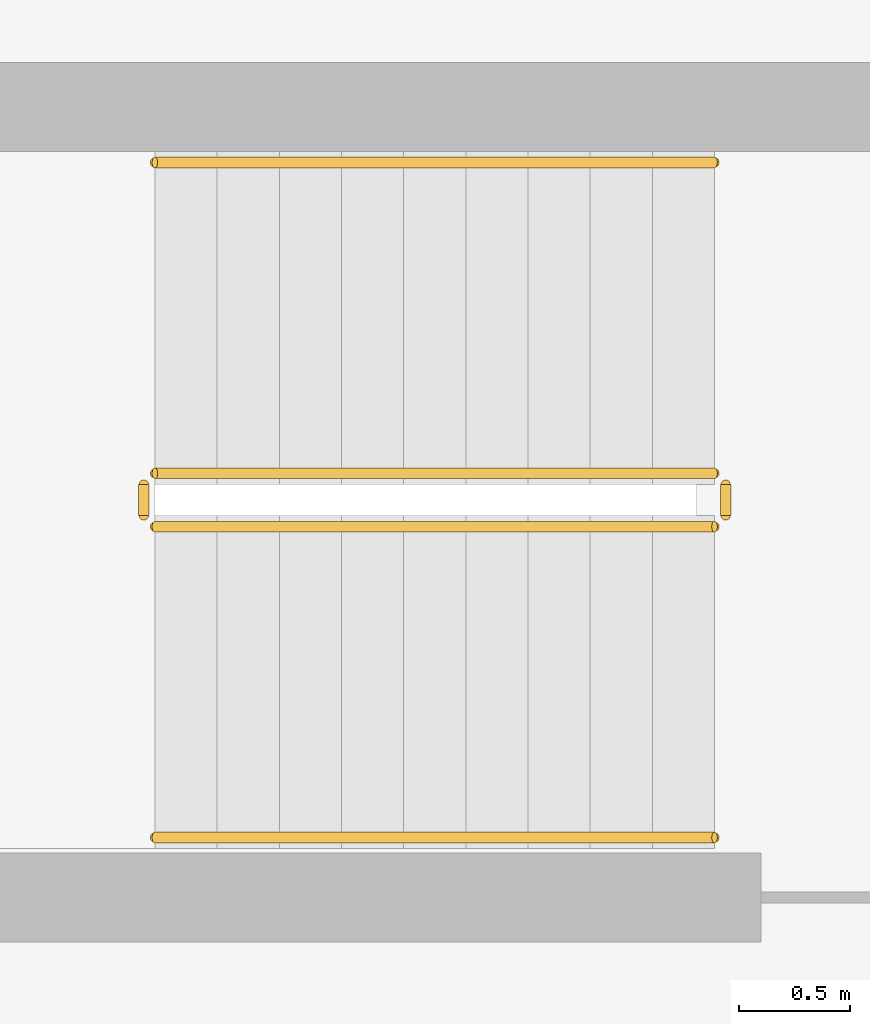
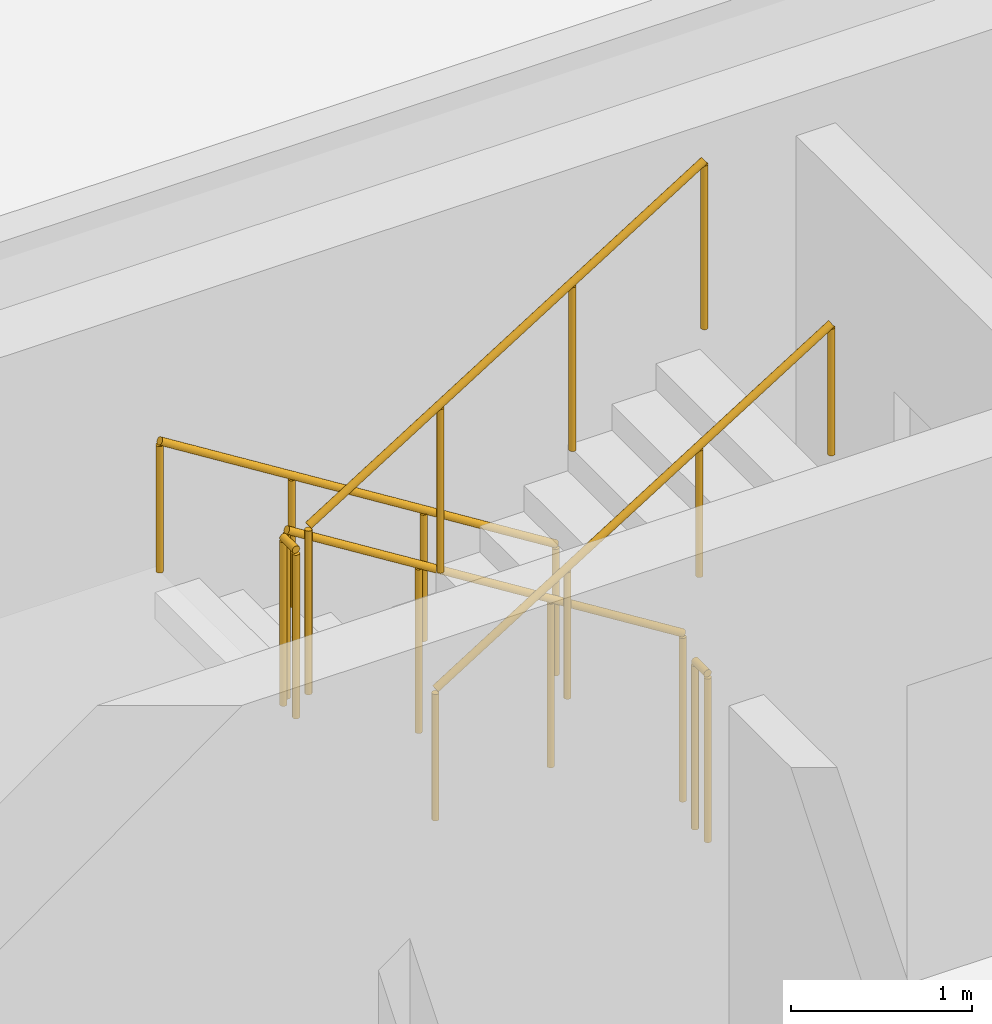
# One storey, part 24 of 26: 6 railings.
"""IFC4 building model written with IfcOpenShell, lengths in metres."""

from ifc_helpers import new_model, si_unit, derived_unit, direction, frame, origin, origin_2d, place, context, subcontext, project, spatial, circle, extrude, material, type_object, element, save


model = new_model("IFC4")

# Units and contexts
model_context = context("Model", 3, precision=1e-05, world=origin(), true_north=direction((0.0, 1.0)))
body_context = subcontext(model_context, "Body", "Model", "MODEL_VIEW")
ifc_project = project(units=[si_unit("LENGTHUNIT", "METRE"), si_unit("AREAUNIT", "SQUARE_METRE"), si_unit("VOLUMEUNIT", "CUBIC_METRE"), si_unit("PLANEANGLEUNIT", "RADIAN"), si_unit("MASSUNIT", "GRAM", prefix="KILO"), derived_unit("THERMALTRANSMITTANCEUNIT", [(si_unit("POWERUNIT", "WATT"), 1), (si_unit("LENGTHUNIT", "METRE"), -2), (si_unit("THERMODYNAMICTEMPERATUREUNIT", "KELVIN"), -1)])], contexts=[model_context])

# Site, building, storey
site_placement = place(None, origin())
site = spatial("IfcSite", under=ifc_project, at=site_placement, CompositionType="ELEMENT")
building_placement = place(site_placement, origin())
building = spatial("IfcBuilding", under=site, at=building_placement, Name="Kivonza Crest Hotel", CompositionType="ELEMENT")
storey_placement = place(building_placement, frame((0.0, 0.0, 102.0)))
storey = spatial("IfcBuildingStorey", under=building, at=storey_placement, Name="L27", CompositionType="ELEMENT", Elevation=102.0)

# Railings
ifc_material_1 = material(Name="Brushed stainless steel handrail", Category="steel")
railing_type_1 = type_object("IfcRailingType", Name="RL-HAND-900", PredefinedType="HANDRAIL", material=ifc_material_1)
railing_1_placement = place(storey_placement, frame((12.239990234375, 36.110107421875, 0.175048828125)))
element("IfcRailing", 1, at=railing_1_placement, inside=storey, type_object=railing_type_1, Name="L27 ST-T1-N stair handrail 1", PredefinedType="HANDRAIL", context=body_context, shape_type="SweptSolid", body=[
    extrude(circle(Radius=0.02392578125, at=origin_2d()), frame((0.0, 0.0, 0.8759765625), z_axis=(-0.848007534815, 0.0, 0.529984170421), x_axis=(0.0, -1.0, 0.0)), (0.0, 0.0, 1.0), 2.9716796875),
    extrude(circle(Radius=0.02099609375, at=origin_2d()), origin(), (0.0, 0.0, 1.0), 0.851806640625),
    extrude(circle(Radius=0.02099609375, at=origin_2d()), frame((-0.840087890625, 0.0, 0.52490234375)), (0.0, 0.0, 1.0), 0.851806640625),
    extrude(circle(Radius=0.02099609375, at=origin_2d()), frame((-1.679931640625, 0.0, 1.050048828125)), (0.0, 0.0, 1.0), 0.851806640625),
    extrude(circle(Radius=0.02099609375, at=origin_2d()), frame((-2.52001953125, 0.0, 1.574951171875)), (0.0, 0.0, 1.0), 0.851806640625),
])
railing_2_placement = place(storey_placement, frame((9.719970703125, 33.070068359375, 1.925048828125)))
element("IfcRailing", 2, at=railing_2_placement, inside=storey, type_object=railing_type_1, Name="L27 ST-T1-N stair handrail 2", PredefinedType="HANDRAIL", context=body_context, shape_type="SweptSolid", body=[
    extrude(circle(Radius=0.02392578125, at=origin_2d()), frame((0.0, 0.0, 0.8759765625), z_axis=(0.848007534815, 0.0, 0.529984170421), x_axis=(0.0, 1.0, 0.0)), (0.0, 0.0, 1.0), 2.9716796875),
    extrude(circle(Radius=0.02099609375, at=origin_2d()), origin(), (0.0, 0.0, 1.0), 0.851806640625),
    extrude(circle(Radius=0.02099609375, at=origin_2d()), frame((0.840087890625, 0.0, 0.52490234375)), (0.0, 0.0, 1.0), 0.851806640625),
    extrude(circle(Radius=0.02099609375, at=origin_2d()), frame((1.679931640625, 0.0, 1.050048828125)), (0.0, 0.0, 1.0), 0.851806640625),
    extrude(circle(Radius=0.02099609375, at=origin_2d()), frame((2.52001953125, 0.0, 1.574951171875)), (0.0, 0.0, 1.0), 0.851806640625),
])
ifc_material_2 = material(Name="Painted steel balustrade", Category="steel")
railing_type_2 = type_object("IfcRailingType", Name="RL-STAIR-1150", PredefinedType="BALUSTRADE", material=ifc_material_2)
railing_3_placement = place(storey_placement, frame((12.239990234375, 34.7099609375, 0.175048828125)))
element("IfcRailing", 3, at=railing_3_placement, inside=storey, type_object=railing_type_2, Name="L27 ST-T1-N stair guard 1", PredefinedType="BALUSTRADE", context=body_context, shape_type="SweptSolid", body=[
    extrude(circle(Radius=0.02392578125, at=origin_2d()), frame((0.0, 0.0, 1.1259765625), z_axis=(-0.848007534815, 0.0, 0.529984170421), x_axis=(0.0, -1.0, 0.0)), (0.0, 0.0, 1.0), 2.9716796875),
    extrude(circle(Radius=0.02099609375, at=origin_2d()), origin(), (0.0, 0.0, 1.0), 1.101806640625),
    extrude(circle(Radius=0.02099609375, at=origin_2d()), frame((-0.840087890625, 0.0, 0.52490234375)), (0.0, 0.0, 1.0), 1.101806640625),
    extrude(circle(Radius=0.02099609375, at=origin_2d()), frame((-1.679931640625, 0.0, 1.050048828125)), (0.0, 0.0, 1.0), 1.101806640625),
    extrude(circle(Radius=0.02099609375, at=origin_2d()), frame((-2.52001953125, 0.0, 1.574951171875)), (0.0, 0.0, 1.0), 1.101806640625),
])
railing_4_placement = place(storey_placement, frame((9.669921875, 34.659912109375, 1.75)))
element("IfcRailing", 4, at=railing_4_placement, inside=storey, type_object=railing_type_2, Name="L27 ST-T1-N stair guard 2", PredefinedType="BALUSTRADE", context=body_context, shape_type="SweptSolid", body=[
    extrude(circle(Radius=0.02392578125, at=origin_2d()), frame((0.0, 0.0, 1.1259765625), z_axis=(0.0, -1.0, 0.0), x_axis=(1.0, 0.0, 0.0)), (0.0, 0.0, 1.0), 0.139892578125),
    extrude(circle(Radius=0.02099609375, at=origin_2d()), origin(), (0.0, 0.0, 1.0), 1.101806640625),
    extrude(circle(Radius=0.02099609375, at=origin_2d()), frame((0.0, -0.139892578125, 0.0)), (0.0, 0.0, 1.0), 1.101806640625),
])
railing_5_placement = place(storey_placement, frame((9.719970703125, 34.469970703125, 1.925048828125)))
element("IfcRailing", 5, at=railing_5_placement, inside=storey, type_object=railing_type_2, Name="L27 ST-T1-N stair guard 3", PredefinedType="BALUSTRADE", context=body_context, shape_type="SweptSolid", body=[
    extrude(circle(Radius=0.02392578125, at=origin_2d()), frame((0.0, 0.0, 1.1259765625), z_axis=(0.848007534815, 0.0, 0.529984170421), x_axis=(0.0, 1.0, 0.0)), (0.0, 0.0, 1.0), 2.9716796875),
    extrude(circle(Radius=0.02099609375, at=origin_2d()), origin(), (0.0, 0.0, 1.0), 1.101806640625),
    extrude(circle(Radius=0.02099609375, at=origin_2d()), frame((0.840087890625, 0.0, 0.52490234375)), (0.0, 0.0, 1.0), 1.101806640625),
    extrude(circle(Radius=0.02099609375, at=origin_2d()), frame((1.679931640625, 0.0, 1.050048828125)), (0.0, 0.0, 1.0), 1.101806640625),
    extrude(circle(Radius=0.02099609375, at=origin_2d()), frame((2.52001953125, 0.0, 1.574951171875)), (0.0, 0.0, 1.0), 1.101806640625),
])
railing_6_placement = place(storey_placement, frame((12.2900390625, 34.659912109375, 0.0)))
element("IfcRailing", 6, at=railing_6_placement, inside=storey, type_object=railing_type_2, Name="L27 ST-T1-N stair guard 4", PredefinedType="BALUSTRADE", context=body_context, shape_type="SweptSolid", body=[
    extrude(circle(Radius=0.02392578125, at=origin_2d()), frame((0.0, 0.0, 1.1259765625), z_axis=(0.0, -1.0, 0.0), x_axis=(1.0, 0.0, 0.0)), (0.0, 0.0, 1.0), 0.139892578125),
    extrude(circle(Radius=0.02099609375, at=origin_2d()), origin(), (0.0, 0.0, 1.0), 1.101806640625),
    extrude(circle(Radius=0.02099609375, at=origin_2d()), frame((0.0, -0.139892578125, 0.0)), (0.0, 0.0, 1.0), 1.101806640625),
])

save(model, "model.ifc")
